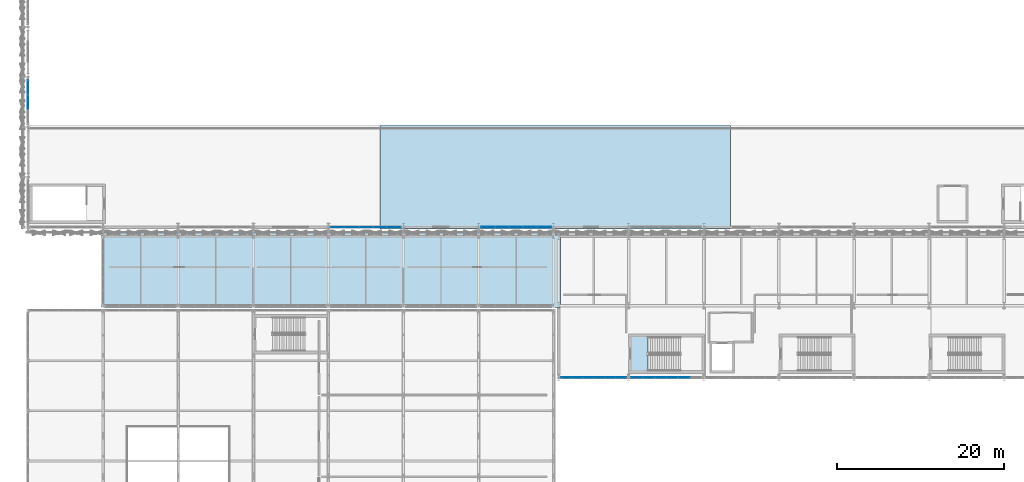
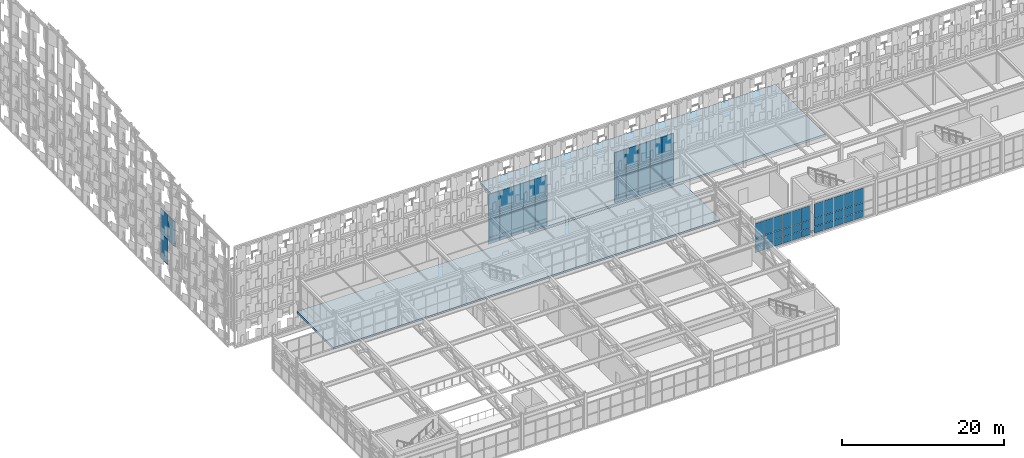
# One storey, part 136 of 210: 67 plates, 3 slabs, 5 elements without a shape of their own.
"""IFC4 building model written with IfcOpenShell, lengths in metres."""

from ifc_helpers import new_model, si_unit, direction, frame, origin, origin_2d, place, context, subcontext, project, spatial, polyline, rectangle, outline, extrude, material, layer, layer_set, type_object, element, aggregate, save


model = new_model("IFC4")

# Units and contexts
model_context = context("Model", 3, precision=1e-05, world=origin(), true_north=direction((0.0, 1.0)))
body_context = subcontext(model_context, "Body", "Model", "MODEL_VIEW")
ifc_project = project(units=[si_unit("LENGTHUNIT", "METRE"), si_unit("AREAUNIT", "SQUARE_METRE"), si_unit("VOLUMEUNIT", "CUBIC_METRE"), si_unit("PLANEANGLEUNIT", "RADIAN"), si_unit("MASSUNIT", "GRAM", prefix="KILO")], contexts=[model_context])

# Site, building, storey
site_placement = place(None, origin())
site = spatial("IfcSite", under=ifc_project, at=site_placement, CompositionType="ELEMENT")
building_placement = place(site_placement, origin())
building = spatial("IfcBuilding", under=site, at=building_placement, Name="Kaldris Quays Convention Centre", CompositionType="ELEMENT")
storey_placement = place(building_placement, frame((0.0, 0.0, 6.0)))
storey = spatial("IfcBuildingStorey", under=building, at=storey_placement, Name="L01", CompositionType="ELEMENT", Elevation=6.0)

# Curtain wall, plates
ifc_material_1 = material(Name="Anodized aluminium AW-6060 and triple glazing", Category="aluminium")
curtain_wall_type_1 = type_object("IfcCurtainWallType", Name="UNITISED CURTAIN WALL CW04", PredefinedType="NOTDEFINED", material=ifc_material_1)
curtain_wall_1_placement = place(storey_placement, origin())
curtain_wall_1 = element("IfcCurtainWall", 1, at=curtain_wall_1_placement, inside=storey, type_object=curtain_wall_type_1, Name="L01 Unitised Curtain Wall CW04 107", PredefinedType="NOTDEFINED")
ifc_material_2 = material(Name="Triple low-E insulated glazing", Category="glass")
plate_type_1 = type_object("IfcPlateType", Name="CURTAIN GLAZING PANEL CWP3", PredefinedType="CURTAIN_PANEL", material=ifc_material_2)
plate_1_placement = place(storey_placement, frame((84.5234375, 38.0, 0.06005859375), z_axis=(0.0, 0.0, 1.0), x_axis=(1.0, 0.0, 0.0)))
plate_1 = element("IfcPlate", 2, at=plate_1_placement, type_object=plate_type_1, Name="CW04 panel 1.1", PredefinedType="CURTAIN_PANEL", context=body_context, shape_type="SweptSolid", body=[
    extrude(rectangle(XDim=1.2265625, YDim=0.0390625, at=origin_2d()), origin(), (0.0, 0.0, 1.0), 0.9599609375),
])
plate_2_placement = place(storey_placement, frame((84.5234375, 38.0, 1.080078125), z_axis=(0.0, 0.0, 1.0), x_axis=(1.0, 0.0, 0.0)))
plate_2 = element("IfcPlate", 3, at=plate_2_placement, type_object=plate_type_1, Name="CW04 panel 1.2", PredefinedType="CURTAIN_PANEL", context=body_context, shape_type="SweptSolid", body=[
    extrude(rectangle(XDim=1.2265625, YDim=0.0390625, at=origin_2d()), origin(), (0.0, 0.0, 1.0), 1.14892578125),
])
plate_3_placement = place(storey_placement, frame((84.5234375, 38.0, 2.2890625), z_axis=(0.0, 0.0, 1.0), x_axis=(1.0, 0.0, 0.0)))
plate_3 = element("IfcPlate", 4, at=plate_3_placement, type_object=plate_type_1, Name="CW04 panel 1.3", PredefinedType="CURTAIN_PANEL", context=body_context, shape_type="SweptSolid", body=[
    extrude(rectangle(XDim=1.2265625, YDim=0.0390625, at=origin_2d()), origin(), (0.0, 0.0, 1.0), 2.1689453125),
])
plate_4_placement = place(storey_placement, frame((85.824951171875, 38.0, 0.06005859375), z_axis=(0.0, 0.0, 1.0), x_axis=(1.0, 0.0, 0.0)))
plate_4 = element("IfcPlate", 5, at=plate_4_placement, type_object=plate_type_1, Name="CW04 panel 2.1", PredefinedType="CURTAIN_PANEL", context=body_context, shape_type="SweptSolid", body=[
    extrude(rectangle(XDim=1.256591796875, YDim=0.0390625, at=origin_2d()), origin(), (0.0, 0.0, 1.0), 0.9599609375),
])
plate_5_placement = place(storey_placement, frame((85.824951171875, 38.0, 1.080078125), z_axis=(0.0, 0.0, 1.0), x_axis=(1.0, 0.0, 0.0)))
plate_5 = element("IfcPlate", 6, at=plate_5_placement, type_object=plate_type_1, Name="CW04 panel 2.2", PredefinedType="CURTAIN_PANEL", context=body_context, shape_type="SweptSolid", body=[
    extrude(rectangle(XDim=1.256591796875, YDim=0.0390625, at=origin_2d()), origin(), (0.0, 0.0, 1.0), 1.14892578125),
])
plate_6_placement = place(storey_placement, frame((85.824951171875, 38.0, 2.2890625), z_axis=(0.0, 0.0, 1.0), x_axis=(1.0, 0.0, 0.0)))
plate_6 = element("IfcPlate", 7, at=plate_6_placement, type_object=plate_type_1, Name="CW04 panel 2.3", PredefinedType="CURTAIN_PANEL", context=body_context, shape_type="SweptSolid", body=[
    extrude(rectangle(XDim=1.256591796875, YDim=0.0390625, at=origin_2d()), origin(), (0.0, 0.0, 1.0), 2.1689453125),
])
plate_7_placement = place(storey_placement, frame((87.1416015625, 38.0, 0.06005859375), z_axis=(0.0, 0.0, 1.0), x_axis=(1.0, 0.0, 0.0)))
plate_7 = element("IfcPlate", 8, at=plate_7_placement, type_object=plate_type_1, Name="CW04 panel 3.1", PredefinedType="CURTAIN_PANEL", context=body_context, shape_type="SweptSolid", body=[
    extrude(rectangle(XDim=1.256591796875, YDim=0.0390625, at=origin_2d()), origin(), (0.0, 0.0, 1.0), 0.9599609375),
])
plate_8_placement = place(storey_placement, frame((87.1416015625, 38.0, 1.080078125), z_axis=(0.0, 0.0, 1.0), x_axis=(1.0, 0.0, 0.0)))
plate_8 = element("IfcPlate", 9, at=plate_8_placement, type_object=plate_type_1, Name="CW04 panel 3.2", PredefinedType="CURTAIN_PANEL", context=body_context, shape_type="SweptSolid", body=[
    extrude(rectangle(XDim=1.256591796875, YDim=0.0390625, at=origin_2d()), origin(), (0.0, 0.0, 1.0), 1.14892578125),
])
plate_9_placement = place(storey_placement, frame((87.1416015625, 38.0, 2.2890625), z_axis=(0.0, 0.0, 1.0), x_axis=(1.0, 0.0, 0.0)))
plate_9 = element("IfcPlate", 10, at=plate_9_placement, type_object=plate_type_1, Name="CW04 panel 3.3", PredefinedType="CURTAIN_PANEL", context=body_context, shape_type="SweptSolid", body=[
    extrude(rectangle(XDim=1.256591796875, YDim=0.0390625, at=origin_2d()), origin(), (0.0, 0.0, 1.0), 2.1689453125),
])
plate_10_placement = place(storey_placement, frame((88.458251953125, 38.0, 0.06005859375), z_axis=(0.0, 0.0, 1.0), x_axis=(1.0, 0.0, 0.0)))
plate_10 = element("IfcPlate", 11, at=plate_10_placement, type_object=plate_type_1, Name="CW04 panel 4.1", PredefinedType="CURTAIN_PANEL", context=body_context, shape_type="SweptSolid", body=[
    extrude(rectangle(XDim=1.256591796875, YDim=0.0390625, at=origin_2d()), origin(), (0.0, 0.0, 1.0), 0.9599609375),
])
plate_11_placement = place(storey_placement, frame((88.458251953125, 38.0, 1.080078125), z_axis=(0.0, 0.0, 1.0), x_axis=(1.0, 0.0, 0.0)))
plate_11 = element("IfcPlate", 12, at=plate_11_placement, type_object=plate_type_1, Name="CW04 panel 4.2", PredefinedType="CURTAIN_PANEL", context=body_context, shape_type="SweptSolid", body=[
    extrude(rectangle(XDim=1.256591796875, YDim=0.0390625, at=origin_2d()), origin(), (0.0, 0.0, 1.0), 1.14892578125),
])
plate_12_placement = place(storey_placement, frame((88.458251953125, 38.0, 2.2890625), z_axis=(0.0, 0.0, 1.0), x_axis=(1.0, 0.0, 0.0)))
plate_12 = element("IfcPlate", 13, at=plate_12_placement, type_object=plate_type_1, Name="CW04 panel 4.3", PredefinedType="CURTAIN_PANEL", context=body_context, shape_type="SweptSolid", body=[
    extrude(rectangle(XDim=1.256591796875, YDim=0.0390625, at=origin_2d()), origin(), (0.0, 0.0, 1.0), 2.1689453125),
])
plate_13_placement = place(storey_placement, frame((89.77490234375, 38.0, 0.06005859375), z_axis=(0.0, 0.0, 1.0), x_axis=(1.0, 0.0, 0.0)))
plate_13 = element("IfcPlate", 14, at=plate_13_placement, type_object=plate_type_1, Name="CW04 panel 5.1", PredefinedType="CURTAIN_PANEL", context=body_context, shape_type="SweptSolid", body=[
    extrude(rectangle(XDim=1.256591796875, YDim=0.0390625, at=origin_2d()), origin(), (0.0, 0.0, 1.0), 0.9599609375),
])
plate_14_placement = place(storey_placement, frame((89.77490234375, 38.0, 1.080078125), z_axis=(0.0, 0.0, 1.0), x_axis=(1.0, 0.0, 0.0)))
plate_14 = element("IfcPlate", 15, at=plate_14_placement, type_object=plate_type_1, Name="CW04 panel 5.2", PredefinedType="CURTAIN_PANEL", context=body_context, shape_type="SweptSolid", body=[
    extrude(rectangle(XDim=1.256591796875, YDim=0.0390625, at=origin_2d()), origin(), (0.0, 0.0, 1.0), 1.14892578125),
])
plate_15_placement = place(storey_placement, frame((89.77490234375, 38.0, 2.2890625), z_axis=(0.0, 0.0, 1.0), x_axis=(1.0, 0.0, 0.0)))
plate_15 = element("IfcPlate", 16, at=plate_15_placement, type_object=plate_type_1, Name="CW04 panel 5.3", PredefinedType="CURTAIN_PANEL", context=body_context, shape_type="SweptSolid", body=[
    extrude(rectangle(XDim=1.256591796875, YDim=0.0390625, at=origin_2d()), origin(), (0.0, 0.0, 1.0), 2.1689453125),
])
plate_16_placement = place(storey_placement, frame((91.07666015625, 38.0, 0.06005859375), z_axis=(0.0, 0.0, 1.0), x_axis=(1.0, 0.0, 0.0)))
plate_16 = element("IfcPlate", 17, at=plate_16_placement, type_object=plate_type_1, Name="CW04 panel 6.1", PredefinedType="CURTAIN_PANEL", context=body_context, shape_type="SweptSolid", body=[
    extrude(rectangle(XDim=1.2265625, YDim=0.0390625, at=origin_2d()), origin(), (0.0, 0.0, 1.0), 0.9599609375),
])
plate_17_placement = place(storey_placement, frame((91.07666015625, 38.0, 1.080078125), z_axis=(0.0, 0.0, 1.0), x_axis=(1.0, 0.0, 0.0)))
plate_17 = element("IfcPlate", 18, at=plate_17_placement, type_object=plate_type_1, Name="CW04 panel 6.2", PredefinedType="CURTAIN_PANEL", context=body_context, shape_type="SweptSolid", body=[
    extrude(rectangle(XDim=1.2265625, YDim=0.0390625, at=origin_2d()), origin(), (0.0, 0.0, 1.0), 1.14892578125),
])
plate_18_placement = place(storey_placement, frame((91.07666015625, 38.0, 2.2890625), z_axis=(0.0, 0.0, 1.0), x_axis=(1.0, 0.0, 0.0)))
plate_18 = element("IfcPlate", 19, at=plate_18_placement, type_object=plate_type_1, Name="CW04 panel 6.3", PredefinedType="CURTAIN_PANEL", context=body_context, shape_type="SweptSolid", body=[
    extrude(rectangle(XDim=1.2265625, YDim=0.0390625, at=origin_2d()), origin(), (0.0, 0.0, 1.0), 2.1689453125),
])
aggregate(curtain_wall_1, [plate_1, plate_2, plate_3, plate_4, plate_5, plate_6, plate_7, plate_8, plate_9, plate_10, plate_11, plate_12, plate_13, plate_14, plate_15, plate_16, plate_17, plate_18])

curtain_wall_2_placement = place(storey_placement, origin())
curtain_wall_2 = element("IfcCurtainWall", 20, at=curtain_wall_2_placement, inside=storey, type_object=curtain_wall_type_1, Name="L01 Unitised Curtain Wall CW04 108", PredefinedType="NOTDEFINED")
plate_type_2 = type_object("IfcPlateType", Name="CURTAIN GLAZING PANEL CWP4", PredefinedType="CURTAIN_PANEL", material=ifc_material_2)
plate_19_placement = place(storey_placement, frame((92.973388671875, 38.0, 0.06005859375), z_axis=(0.0, 0.0, 1.0), x_axis=(1.0, 0.0, 0.0)))
plate_19 = element("IfcPlate", 21, at=plate_19_placement, type_object=plate_type_2, Name="CW04 panel 1.1", PredefinedType="CURTAIN_PANEL", context=body_context, shape_type="SweptSolid", body=[
    extrude(rectangle(XDim=1.32666015625, YDim=0.0439453125, at=origin_2d()), origin(), (0.0, 0.0, 1.0), 0.9599609375),
])
plate_20_placement = place(storey_placement, frame((92.973388671875, 38.0, 1.080078125), z_axis=(0.0, 0.0, 1.0), x_axis=(1.0, 0.0, 0.0)))
plate_20 = element("IfcPlate", 22, at=plate_20_placement, type_object=plate_type_2, Name="CW04 panel 1.2", PredefinedType="CURTAIN_PANEL", context=body_context, shape_type="SweptSolid", body=[
    extrude(rectangle(XDim=1.32666015625, YDim=0.0439453125, at=origin_2d()), origin(), (0.0, 0.0, 1.0), 1.14892578125),
])
plate_21_placement = place(storey_placement, frame((92.973388671875, 38.0, 2.2890625), z_axis=(0.0, 0.0, 1.0), x_axis=(1.0, 0.0, 0.0)))
plate_21 = element("IfcPlate", 23, at=plate_21_placement, type_object=plate_type_2, Name="CW04 panel 1.3", PredefinedType="CURTAIN_PANEL", context=body_context, shape_type="SweptSolid", body=[
    extrude(rectangle(XDim=1.32666015625, YDim=0.0439453125, at=origin_2d()), origin(), (0.0, 0.0, 1.0), 2.1689453125),
])
plate_22_placement = place(storey_placement, frame((94.375, 38.0, 0.06005859375), z_axis=(0.0, 0.0, 1.0), x_axis=(1.0, 0.0, 0.0)))
plate_22 = element("IfcPlate", 24, at=plate_22_placement, type_object=plate_type_2, Name="CW04 panel 2.1", PredefinedType="CURTAIN_PANEL", context=body_context, shape_type="SweptSolid", body=[
    extrude(rectangle(XDim=1.356689453125, YDim=0.0439453125, at=origin_2d()), origin(), (0.0, 0.0, 1.0), 0.9599609375),
])
plate_23_placement = place(storey_placement, frame((94.375, 38.0, 1.080078125), z_axis=(0.0, 0.0, 1.0), x_axis=(1.0, 0.0, 0.0)))
plate_23 = element("IfcPlate", 25, at=plate_23_placement, type_object=plate_type_2, Name="CW04 panel 2.2", PredefinedType="CURTAIN_PANEL", context=body_context, shape_type="SweptSolid", body=[
    extrude(rectangle(XDim=1.356689453125, YDim=0.0439453125, at=origin_2d()), origin(), (0.0, 0.0, 1.0), 1.14892578125),
])
plate_24_placement = place(storey_placement, frame((94.375, 38.0, 2.2890625), z_axis=(0.0, 0.0, 1.0), x_axis=(1.0, 0.0, 0.0)))
plate_24 = element("IfcPlate", 26, at=plate_24_placement, type_object=plate_type_2, Name="CW04 panel 2.3", PredefinedType="CURTAIN_PANEL", context=body_context, shape_type="SweptSolid", body=[
    extrude(rectangle(XDim=1.356689453125, YDim=0.0439453125, at=origin_2d()), origin(), (0.0, 0.0, 1.0), 2.1689453125),
])
plate_25_placement = place(storey_placement, frame((95.791748046875, 38.0, 0.06005859375), z_axis=(0.0, 0.0, 1.0), x_axis=(1.0, 0.0, 0.0)))
plate_25 = element("IfcPlate", 27, at=plate_25_placement, type_object=plate_type_2, Name="CW04 panel 3.1", PredefinedType="CURTAIN_PANEL", context=body_context, shape_type="SweptSolid", body=[
    extrude(rectangle(XDim=1.356689453125, YDim=0.0439453125, at=origin_2d()), origin(), (0.0, 0.0, 1.0), 0.9599609375),
])
plate_26_placement = place(storey_placement, frame((95.791748046875, 38.0, 1.080078125), z_axis=(0.0, 0.0, 1.0), x_axis=(1.0, 0.0, 0.0)))
plate_26 = element("IfcPlate", 28, at=plate_26_placement, type_object=plate_type_2, Name="CW04 panel 3.2", PredefinedType="CURTAIN_PANEL", context=body_context, shape_type="SweptSolid", body=[
    extrude(rectangle(XDim=1.356689453125, YDim=0.0439453125, at=origin_2d()), origin(), (0.0, 0.0, 1.0), 1.14892578125),
])
plate_27_placement = place(storey_placement, frame((95.791748046875, 38.0, 2.2890625), z_axis=(0.0, 0.0, 1.0), x_axis=(1.0, 0.0, 0.0)))
plate_27 = element("IfcPlate", 29, at=plate_27_placement, type_object=plate_type_2, Name="CW04 panel 3.3", PredefinedType="CURTAIN_PANEL", context=body_context, shape_type="SweptSolid", body=[
    extrude(rectangle(XDim=1.356689453125, YDim=0.0439453125, at=origin_2d()), origin(), (0.0, 0.0, 1.0), 2.1689453125),
])
plate_28_placement = place(storey_placement, frame((97.208251953125, 38.0, 0.06005859375), z_axis=(0.0, 0.0, 1.0), x_axis=(1.0, 0.0, 0.0)))
plate_28 = element("IfcPlate", 30, at=plate_28_placement, type_object=plate_type_2, Name="CW04 panel 4.1", PredefinedType="CURTAIN_PANEL", context=body_context, shape_type="SweptSolid", body=[
    extrude(rectangle(XDim=1.356689453125, YDim=0.0439453125, at=origin_2d()), origin(), (0.0, 0.0, 1.0), 0.9599609375),
])
plate_29_placement = place(storey_placement, frame((97.208251953125, 38.0, 1.080078125), z_axis=(0.0, 0.0, 1.0), x_axis=(1.0, 0.0, 0.0)))
plate_29 = element("IfcPlate", 31, at=plate_29_placement, type_object=plate_type_2, Name="CW04 panel 4.2", PredefinedType="CURTAIN_PANEL", context=body_context, shape_type="SweptSolid", body=[
    extrude(rectangle(XDim=1.356689453125, YDim=0.0439453125, at=origin_2d()), origin(), (0.0, 0.0, 1.0), 1.14892578125),
])
plate_30_placement = place(storey_placement, frame((97.208251953125, 38.0, 2.2890625), z_axis=(0.0, 0.0, 1.0), x_axis=(1.0, 0.0, 0.0)))
plate_30 = element("IfcPlate", 32, at=plate_30_placement, type_object=plate_type_2, Name="CW04 panel 4.3", PredefinedType="CURTAIN_PANEL", context=body_context, shape_type="SweptSolid", body=[
    extrude(rectangle(XDim=1.356689453125, YDim=0.0439453125, at=origin_2d()), origin(), (0.0, 0.0, 1.0), 2.1689453125),
])
plate_31_placement = place(storey_placement, frame((98.625, 38.0, 0.06005859375), z_axis=(0.0, 0.0, 1.0), x_axis=(1.0, 0.0, 0.0)))
plate_31 = element("IfcPlate", 33, at=plate_31_placement, type_object=plate_type_2, Name="CW04 panel 5.1", PredefinedType="CURTAIN_PANEL", context=body_context, shape_type="SweptSolid", body=[
    extrude(rectangle(XDim=1.356689453125, YDim=0.0439453125, at=origin_2d()), origin(), (0.0, 0.0, 1.0), 0.9599609375),
])
plate_32_placement = place(storey_placement, frame((98.625, 38.0, 1.080078125), z_axis=(0.0, 0.0, 1.0), x_axis=(1.0, 0.0, 0.0)))
plate_32 = element("IfcPlate", 34, at=plate_32_placement, type_object=plate_type_2, Name="CW04 panel 5.2", PredefinedType="CURTAIN_PANEL", context=body_context, shape_type="SweptSolid", body=[
    extrude(rectangle(XDim=1.356689453125, YDim=0.0439453125, at=origin_2d()), origin(), (0.0, 0.0, 1.0), 1.14892578125),
])
plate_33_placement = place(storey_placement, frame((98.625, 38.0, 2.2890625), z_axis=(0.0, 0.0, 1.0), x_axis=(1.0, 0.0, 0.0)))
plate_33 = element("IfcPlate", 35, at=plate_33_placement, type_object=plate_type_2, Name="CW04 panel 5.3", PredefinedType="CURTAIN_PANEL", context=body_context, shape_type="SweptSolid", body=[
    extrude(rectangle(XDim=1.356689453125, YDim=0.0439453125, at=origin_2d()), origin(), (0.0, 0.0, 1.0), 2.1689453125),
])
aggregate(curtain_wall_2, [plate_19, plate_20, plate_21, plate_22, plate_23, plate_24, plate_25, plate_26, plate_27, plate_28, plate_29, plate_30, plate_31, plate_32, plate_33])

curtain_wall_type_2 = type_object("IfcCurtainWallType", Name="UNITISED CURTAIN WALL CW03", PredefinedType="NOTDEFINED", material=ifc_material_1)
curtain_wall_3_placement = place(storey_placement, origin())
curtain_wall_3 = element("IfcCurtainWall", 36, at=curtain_wall_3_placement, inside=storey, type_object=curtain_wall_type_2, Name="L01 Unitised Curtain Wall CW03 5", PredefinedType="NOTDEFINED")
plate_type_3 = type_object("IfcPlateType", Name="CURTAIN GLAZING PANEL CWP5", PredefinedType="CURTAIN_PANEL", material=ifc_material_2)
plate_34_placement = place(storey_placement, frame((57.114990234375, 56.0, 0.06005859375), z_axis=(0.0, 0.0, 1.0), x_axis=(1.0, 0.0, 0.0)))
plate_34 = element("IfcPlate", 37, at=plate_34_placement, type_object=plate_type_3, Name="CW03 panel 1.1", PredefinedType="CURTAIN_PANEL", context=body_context, shape_type="SweptSolid", body=[
    extrude(rectangle(XDim=1.610107421875, YDim=0.049072265625, at=origin_2d()), origin(), (0.0, 0.0, 1.0), 0.9599609375),
])
plate_35_placement = place(storey_placement, frame((57.114990234375, 56.0, 1.080078125), z_axis=(0.0, 0.0, 1.0), x_axis=(1.0, 0.0, 0.0)))
plate_35 = element("IfcPlate", 38, at=plate_35_placement, type_object=plate_type_3, Name="CW03 panel 1.2", PredefinedType="CURTAIN_PANEL", context=body_context, shape_type="SweptSolid", body=[
    extrude(rectangle(XDim=1.610107421875, YDim=0.049072265625, at=origin_2d()), origin(), (0.0, 0.0, 1.0), 2.68994140625),
])
plate_36_placement = place(storey_placement, frame((57.114990234375, 56.0, 3.830078125), z_axis=(0.0, 0.0, 1.0), x_axis=(1.0, 0.0, 0.0)))
plate_36 = element("IfcPlate", 39, at=plate_36_placement, type_object=plate_type_3, Name="CW03 panel 1.3", PredefinedType="CURTAIN_PANEL", context=body_context, shape_type="SweptSolid", body=[
    extrude(rectangle(XDim=1.610107421875, YDim=0.049072265625, at=origin_2d()), origin(), (0.0, 0.0, 1.0), 3.7099609375),
])
plate_37_placement = place(storey_placement, frame((58.800048828125, 56.0, 0.06005859375), z_axis=(0.0, 0.0, 1.0), x_axis=(1.0, 0.0, 0.0)))
plate_37 = element("IfcPlate", 40, at=plate_37_placement, type_object=plate_type_3, Name="CW03 panel 2.1", PredefinedType="CURTAIN_PANEL", context=body_context, shape_type="SweptSolid", body=[
    extrude(rectangle(XDim=1.639892578125, YDim=0.049072265625, at=origin_2d()), origin(), (0.0, 0.0, 1.0), 0.9599609375),
])
plate_38_placement = place(storey_placement, frame((58.800048828125, 56.0, 1.080078125), z_axis=(0.0, 0.0, 1.0), x_axis=(1.0, 0.0, 0.0)))
plate_38 = element("IfcPlate", 41, at=plate_38_placement, type_object=plate_type_3, Name="CW03 panel 2.2", PredefinedType="CURTAIN_PANEL", context=body_context, shape_type="SweptSolid", body=[
    extrude(rectangle(XDim=1.639892578125, YDim=0.049072265625, at=origin_2d()), origin(), (0.0, 0.0, 1.0), 2.68994140625),
])
plate_39_placement = place(storey_placement, frame((58.800048828125, 56.0, 3.830078125), z_axis=(0.0, 0.0, 1.0), x_axis=(1.0, 0.0, 0.0)))
plate_39 = element("IfcPlate", 42, at=plate_39_placement, type_object=plate_type_3, Name="CW03 panel 2.3", PredefinedType="CURTAIN_PANEL", context=body_context, shape_type="SweptSolid", body=[
    extrude(rectangle(XDim=1.639892578125, YDim=0.049072265625, at=origin_2d()), origin(), (0.0, 0.0, 1.0), 3.7099609375),
])
plate_40_placement = place(storey_placement, frame((60.5, 56.0, 0.06005859375), z_axis=(0.0, 0.0, 1.0), x_axis=(1.0, 0.0, 0.0)))
plate_40 = element("IfcPlate", 43, at=plate_40_placement, type_object=plate_type_3, Name="CW03 panel 3.1", PredefinedType="CURTAIN_PANEL", context=body_context, shape_type="SweptSolid", body=[
    extrude(rectangle(XDim=1.639892578125, YDim=0.049072265625, at=origin_2d()), origin(), (0.0, 0.0, 1.0), 0.9599609375),
])
plate_41_placement = place(storey_placement, frame((60.5, 56.0, 1.080078125), z_axis=(0.0, 0.0, 1.0), x_axis=(1.0, 0.0, 0.0)))
plate_41 = element("IfcPlate", 44, at=plate_41_placement, type_object=plate_type_3, Name="CW03 panel 3.2", PredefinedType="CURTAIN_PANEL", context=body_context, shape_type="SweptSolid", body=[
    extrude(rectangle(XDim=1.639892578125, YDim=0.049072265625, at=origin_2d()), origin(), (0.0, 0.0, 1.0), 2.68994140625),
])
plate_42_placement = place(storey_placement, frame((60.5, 56.0, 3.830078125), z_axis=(0.0, 0.0, 1.0), x_axis=(1.0, 0.0, 0.0)))
plate_42 = element("IfcPlate", 45, at=plate_42_placement, type_object=plate_type_3, Name="CW03 panel 3.3", PredefinedType="CURTAIN_PANEL", context=body_context, shape_type="SweptSolid", body=[
    extrude(rectangle(XDim=1.639892578125, YDim=0.049072265625, at=origin_2d()), origin(), (0.0, 0.0, 1.0), 3.7099609375),
])
plate_43_placement = place(storey_placement, frame((62.199951171875, 56.0, 0.06005859375), z_axis=(0.0, 0.0, 1.0), x_axis=(1.0, 0.0, 0.0)))
plate_43 = element("IfcPlate", 46, at=plate_43_placement, type_object=plate_type_3, Name="CW03 panel 4.1", PredefinedType="CURTAIN_PANEL", context=body_context, shape_type="SweptSolid", body=[
    extrude(rectangle(XDim=1.639892578125, YDim=0.049072265625, at=origin_2d()), origin(), (0.0, 0.0, 1.0), 0.9599609375),
])
plate_44_placement = place(storey_placement, frame((62.199951171875, 56.0, 1.080078125), z_axis=(0.0, 0.0, 1.0), x_axis=(1.0, 0.0, 0.0)))
plate_44 = element("IfcPlate", 47, at=plate_44_placement, type_object=plate_type_3, Name="CW03 panel 4.2", PredefinedType="CURTAIN_PANEL", context=body_context, shape_type="SweptSolid", body=[
    extrude(rectangle(XDim=1.639892578125, YDim=0.049072265625, at=origin_2d()), origin(), (0.0, 0.0, 1.0), 2.68994140625),
])
plate_45_placement = place(storey_placement, frame((62.199951171875, 56.0, 3.830078125), z_axis=(0.0, 0.0, 1.0), x_axis=(1.0, 0.0, 0.0)))
plate_45 = element("IfcPlate", 48, at=plate_45_placement, type_object=plate_type_3, Name="CW03 panel 4.3", PredefinedType="CURTAIN_PANEL", context=body_context, shape_type="SweptSolid", body=[
    extrude(rectangle(XDim=1.639892578125, YDim=0.049072265625, at=origin_2d()), origin(), (0.0, 0.0, 1.0), 3.7099609375),
])
plate_46_placement = place(storey_placement, frame((63.885009765625, 56.0, 0.06005859375), z_axis=(0.0, 0.0, 1.0), x_axis=(1.0, 0.0, 0.0)))
plate_46 = element("IfcPlate", 49, at=plate_46_placement, type_object=plate_type_3, Name="CW03 panel 5.1", PredefinedType="CURTAIN_PANEL", context=body_context, shape_type="SweptSolid", body=[
    extrude(rectangle(XDim=1.610107421875, YDim=0.049072265625, at=origin_2d()), origin(), (0.0, 0.0, 1.0), 0.9599609375),
])
plate_47_placement = place(storey_placement, frame((63.885009765625, 56.0, 1.080078125), z_axis=(0.0, 0.0, 1.0), x_axis=(1.0, 0.0, 0.0)))
plate_47 = element("IfcPlate", 50, at=plate_47_placement, type_object=plate_type_3, Name="CW03 panel 5.2", PredefinedType="CURTAIN_PANEL", context=body_context, shape_type="SweptSolid", body=[
    extrude(rectangle(XDim=1.610107421875, YDim=0.049072265625, at=origin_2d()), origin(), (0.0, 0.0, 1.0), 2.68994140625),
])
plate_48_placement = place(storey_placement, frame((63.885009765625, 56.0, 3.830078125), z_axis=(0.0, 0.0, 1.0), x_axis=(1.0, 0.0, 0.0)))
plate_48 = element("IfcPlate", 51, at=plate_48_placement, type_object=plate_type_3, Name="CW03 panel 5.3", PredefinedType="CURTAIN_PANEL", context=body_context, shape_type="SweptSolid", body=[
    extrude(rectangle(XDim=1.610107421875, YDim=0.049072265625, at=origin_2d()), origin(), (0.0, 0.0, 1.0), 3.7099609375),
])
aggregate(curtain_wall_3, [plate_34, plate_35, plate_36, plate_37, plate_38, plate_39, plate_40, plate_41, plate_42, plate_43, plate_44, plate_45, plate_46, plate_47, plate_48])

curtain_wall_4_placement = place(storey_placement, origin())
curtain_wall_4 = element("IfcCurtainWall", 52, at=curtain_wall_4_placement, inside=storey, type_object=curtain_wall_type_2, Name="L01 Unitised Curtain Wall CW03 7", PredefinedType="NOTDEFINED")
plate_type_4 = type_object("IfcPlateType", Name="CURTAIN GLAZING PANEL CWP7", PredefinedType="CURTAIN_PANEL", material=ifc_material_2)
plate_49_placement = place(storey_placement, frame((75.114990234375, 56.0, 0.06005859375), z_axis=(0.0, 0.0, 1.0), x_axis=(1.0, 0.0, 0.0)))
plate_49 = element("IfcPlate", 53, at=plate_49_placement, type_object=plate_type_4, Name="CW03 panel 1.1", PredefinedType="CURTAIN_PANEL", context=body_context, shape_type="SweptSolid", body=[
    extrude(rectangle(XDim=1.610107421875, YDim=0.05908203125, at=origin_2d()), origin(), (0.0, 0.0, 1.0), 0.9599609375),
])
plate_50_placement = place(storey_placement, frame((75.114990234375, 56.0, 1.080078125), z_axis=(0.0, 0.0, 1.0), x_axis=(1.0, 0.0, 0.0)))
plate_50 = element("IfcPlate", 54, at=plate_50_placement, type_object=plate_type_4, Name="CW03 panel 1.2", PredefinedType="CURTAIN_PANEL", context=body_context, shape_type="SweptSolid", body=[
    extrude(rectangle(XDim=1.610107421875, YDim=0.05908203125, at=origin_2d()), origin(), (0.0, 0.0, 1.0), 2.68994140625),
])
plate_51_placement = place(storey_placement, frame((75.114990234375, 56.0, 3.830078125), z_axis=(0.0, 0.0, 1.0), x_axis=(1.0, 0.0, 0.0)))
plate_51 = element("IfcPlate", 55, at=plate_51_placement, type_object=plate_type_4, Name="CW03 panel 1.3", PredefinedType="CURTAIN_PANEL", context=body_context, shape_type="SweptSolid", body=[
    extrude(rectangle(XDim=1.610107421875, YDim=0.05908203125, at=origin_2d()), origin(), (0.0, 0.0, 1.0), 3.7099609375),
])
plate_52_placement = place(storey_placement, frame((76.800048828125, 56.0, 0.06005859375), z_axis=(0.0, 0.0, 1.0), x_axis=(1.0, 0.0, 0.0)))
plate_52 = element("IfcPlate", 56, at=plate_52_placement, type_object=plate_type_4, Name="CW03 panel 2.1", PredefinedType="CURTAIN_PANEL", context=body_context, shape_type="SweptSolid", body=[
    extrude(rectangle(XDim=1.639892578125, YDim=0.05908203125, at=origin_2d()), origin(), (0.0, 0.0, 1.0), 0.9599609375),
])
plate_53_placement = place(storey_placement, frame((76.800048828125, 56.0, 1.080078125), z_axis=(0.0, 0.0, 1.0), x_axis=(1.0, 0.0, 0.0)))
plate_53 = element("IfcPlate", 57, at=plate_53_placement, type_object=plate_type_4, Name="CW03 panel 2.2", PredefinedType="CURTAIN_PANEL", context=body_context, shape_type="SweptSolid", body=[
    extrude(rectangle(XDim=1.639892578125, YDim=0.05908203125, at=origin_2d()), origin(), (0.0, 0.0, 1.0), 2.68994140625),
])
plate_54_placement = place(storey_placement, frame((76.800048828125, 56.0, 3.830078125), z_axis=(0.0, 0.0, 1.0), x_axis=(1.0, 0.0, 0.0)))
plate_54 = element("IfcPlate", 58, at=plate_54_placement, type_object=plate_type_4, Name="CW03 panel 2.3", PredefinedType="CURTAIN_PANEL", context=body_context, shape_type="SweptSolid", body=[
    extrude(rectangle(XDim=1.639892578125, YDim=0.05908203125, at=origin_2d()), origin(), (0.0, 0.0, 1.0), 3.7099609375),
])
plate_55_placement = place(storey_placement, frame((78.5, 56.0, 0.06005859375), z_axis=(0.0, 0.0, 1.0), x_axis=(1.0, 0.0, 0.0)))
plate_55 = element("IfcPlate", 59, at=plate_55_placement, type_object=plate_type_4, Name="CW03 panel 3.1", PredefinedType="CURTAIN_PANEL", context=body_context, shape_type="SweptSolid", body=[
    extrude(rectangle(XDim=1.639892578125, YDim=0.05908203125, at=origin_2d()), origin(), (0.0, 0.0, 1.0), 0.9599609375),
])
plate_56_placement = place(storey_placement, frame((78.5, 56.0, 1.080078125), z_axis=(0.0, 0.0, 1.0), x_axis=(1.0, 0.0, 0.0)))
plate_56 = element("IfcPlate", 60, at=plate_56_placement, type_object=plate_type_4, Name="CW03 panel 3.2", PredefinedType="CURTAIN_PANEL", context=body_context, shape_type="SweptSolid", body=[
    extrude(rectangle(XDim=1.639892578125, YDim=0.05908203125, at=origin_2d()), origin(), (0.0, 0.0, 1.0), 2.68994140625),
])
plate_57_placement = place(storey_placement, frame((78.5, 56.0, 3.830078125), z_axis=(0.0, 0.0, 1.0), x_axis=(1.0, 0.0, 0.0)))
plate_57 = element("IfcPlate", 61, at=plate_57_placement, type_object=plate_type_4, Name="CW03 panel 3.3", PredefinedType="CURTAIN_PANEL", context=body_context, shape_type="SweptSolid", body=[
    extrude(rectangle(XDim=1.639892578125, YDim=0.05908203125, at=origin_2d()), origin(), (0.0, 0.0, 1.0), 3.7099609375),
])
plate_58_placement = place(storey_placement, frame((80.199951171875, 56.0, 0.06005859375), z_axis=(0.0, 0.0, 1.0), x_axis=(1.0, 0.0, 0.0)))
plate_58 = element("IfcPlate", 62, at=plate_58_placement, type_object=plate_type_4, Name="CW03 panel 4.1", PredefinedType="CURTAIN_PANEL", context=body_context, shape_type="SweptSolid", body=[
    extrude(rectangle(XDim=1.639892578125, YDim=0.05908203125, at=origin_2d()), origin(), (0.0, 0.0, 1.0), 0.9599609375),
])
plate_59_placement = place(storey_placement, frame((80.199951171875, 56.0, 1.080078125), z_axis=(0.0, 0.0, 1.0), x_axis=(1.0, 0.0, 0.0)))
plate_59 = element("IfcPlate", 63, at=plate_59_placement, type_object=plate_type_4, Name="CW03 panel 4.2", PredefinedType="CURTAIN_PANEL", context=body_context, shape_type="SweptSolid", body=[
    extrude(rectangle(XDim=1.639892578125, YDim=0.05908203125, at=origin_2d()), origin(), (0.0, 0.0, 1.0), 2.68994140625),
])
plate_60_placement = place(storey_placement, frame((80.199951171875, 56.0, 3.830078125), z_axis=(0.0, 0.0, 1.0), x_axis=(1.0, 0.0, 0.0)))
plate_60 = element("IfcPlate", 64, at=plate_60_placement, type_object=plate_type_4, Name="CW03 panel 4.3", PredefinedType="CURTAIN_PANEL", context=body_context, shape_type="SweptSolid", body=[
    extrude(rectangle(XDim=1.639892578125, YDim=0.05908203125, at=origin_2d()), origin(), (0.0, 0.0, 1.0), 3.7099609375),
])
plate_61_placement = place(storey_placement, frame((81.885009765625, 56.0, 0.06005859375), z_axis=(0.0, 0.0, 1.0), x_axis=(1.0, 0.0, 0.0)))
plate_61 = element("IfcPlate", 65, at=plate_61_placement, type_object=plate_type_4, Name="CW03 panel 5.1", PredefinedType="CURTAIN_PANEL", context=body_context, shape_type="SweptSolid", body=[
    extrude(rectangle(XDim=1.610107421875, YDim=0.05908203125, at=origin_2d()), origin(), (0.0, 0.0, 1.0), 0.9599609375),
])
plate_62_placement = place(storey_placement, frame((81.885009765625, 56.0, 1.080078125), z_axis=(0.0, 0.0, 1.0), x_axis=(1.0, 0.0, 0.0)))
plate_62 = element("IfcPlate", 66, at=plate_62_placement, type_object=plate_type_4, Name="CW03 panel 5.2", PredefinedType="CURTAIN_PANEL", context=body_context, shape_type="SweptSolid", body=[
    extrude(rectangle(XDim=1.610107421875, YDim=0.05908203125, at=origin_2d()), origin(), (0.0, 0.0, 1.0), 2.68994140625),
])
plate_63_placement = place(storey_placement, frame((81.885009765625, 56.0, 3.830078125), z_axis=(0.0, 0.0, 1.0), x_axis=(1.0, 0.0, 0.0)))
plate_63 = element("IfcPlate", 67, at=plate_63_placement, type_object=plate_type_4, Name="CW03 panel 5.3", PredefinedType="CURTAIN_PANEL", context=body_context, shape_type="SweptSolid", body=[
    extrude(rectangle(XDim=1.610107421875, YDim=0.05908203125, at=origin_2d()), origin(), (0.0, 0.0, 1.0), 3.7099609375),
])
aggregate(curtain_wall_4, [plate_49, plate_50, plate_51, plate_52, plate_53, plate_54, plate_55, plate_56, plate_57, plate_58, plate_59, plate_60, plate_61, plate_62, plate_63])

curtain_wall_5_placement = place(storey_placement, origin())
curtain_wall_5 = element("IfcCurtainWall", 68, at=curtain_wall_5_placement, inside=storey, type_object=curtain_wall_type_2, Name="L01 Unitised Curtain Wall CW03 16", PredefinedType="NOTDEFINED")
plate_type_5 = type_object("IfcPlateType", Name="CURTAIN GLAZING PANEL CWP8", PredefinedType="CURTAIN_PANEL", material=ifc_material_2)
plate_64_placement = place(storey_placement, frame((20.0, 71.0, 3.830078125), z_axis=(0.0, 0.0, 1.0), x_axis=(0.0, 1.0, 0.0)))
plate_64 = element("IfcPlate", 69, at=plate_64_placement, type_object=plate_type_5, Name="CW03 panel 2.3", PredefinedType="CURTAIN_PANEL", context=body_context, shape_type="SweptSolid", body=[
    extrude(rectangle(XDim=1.7734375, YDim=0.06396484375, at=origin_2d()), origin(), (0.0, 0.0, 1.0), 3.7099609375),
])
plate_65_placement = place(storey_placement, frame((20.0, 72.818359375, 0.06005859375), z_axis=(0.0, 0.0, 1.0), x_axis=(0.0, 1.0, 0.0)))
plate_65 = element("IfcPlate", 70, at=plate_65_placement, type_object=plate_type_5, Name="CW03 panel 3.1", PredefinedType="CURTAIN_PANEL", context=body_context, shape_type="SweptSolid", body=[
    extrude(rectangle(XDim=1.743408203125, YDim=0.06396484375, at=origin_2d()), origin(), (0.0, 0.0, 1.0), 0.9599609375),
])
plate_66_placement = place(storey_placement, frame((20.0, 72.818359375, 1.080078125), z_axis=(0.0, 0.0, 1.0), x_axis=(0.0, 1.0, 0.0)))
plate_66 = element("IfcPlate", 71, at=plate_66_placement, type_object=plate_type_5, Name="CW03 panel 3.2", PredefinedType="CURTAIN_PANEL", context=body_context, shape_type="SweptSolid", body=[
    extrude(rectangle(XDim=1.743408203125, YDim=0.06396484375, at=origin_2d()), origin(), (0.0, 0.0, 1.0), 2.68994140625),
])
plate_67_placement = place(storey_placement, frame((20.0, 72.818359375, 3.830078125), z_axis=(0.0, 0.0, 1.0), x_axis=(0.0, 1.0, 0.0)))
plate_67 = element("IfcPlate", 72, at=plate_67_placement, type_object=plate_type_5, Name="CW03 panel 3.3", PredefinedType="CURTAIN_PANEL", context=body_context, shape_type="SweptSolid", body=[
    extrude(rectangle(XDim=1.743408203125, YDim=0.06396484375, at=origin_2d()), origin(), (0.0, 0.0, 1.0), 3.7099609375),
])
aggregate(curtain_wall_5, [plate_64, plate_65, plate_66, plate_67])

# Slabs
ifc_material_3 = material(Name="Concrete C35/45", Category="concrete")
ifc_layer_1 = layer(ifc_material_3, 0.31494140625)
ifc_layer_set_1 = layer_set([ifc_layer_1], Name="Concrete C35/45")
slab_type_1 = type_object("IfcSlabType", Name="STRUCTURAL SLAB FS03", PredefinedType="FLOOR", material=ifc_layer_set_1)
slab_1_placement = place(storey_placement, frame((0.0, 0.0, -0.31494140625)))
element("IfcSlab", 73, at=slab_1_placement, inside=storey, type_object=slab_type_1, Name="L01 V1 South Gallery 2 SLAB-L01-V1GS-2", PredefinedType="FLOOR", context=body_context, shape_type="SweptSolid", body=[
    extrude(outline(polyline([(104.199951171875, 68.199951171875), (104.199951171875, 55.800048828125), (62.201904296875, 55.800048828125), (62.201904296875, 68.199951171875), (104.199951171875, 68.199951171875)])), origin(), (0.0, 0.0, 1.0), 0.31494140625),
])
ifc_layer_2 = layer(ifc_material_3, 0.27490234375)
ifc_layer_set_2 = layer_set([ifc_layer_2], Name="Concrete C35/45")
slab_type_2 = type_object("IfcSlabType", Name="STRUCTURAL SLAB FS05", PredefinedType="FLOOR", material=ifc_layer_set_2)
slab_2_placement = place(storey_placement, frame((0.0, 0.0, -0.27490234375)))
element("IfcSlab", 74, at=slab_2_placement, inside=storey, type_object=slab_type_2, Name="L01 ST11 Core Floor Landing Slab", PredefinedType="FLOOR", context=body_context, shape_type="SweptSolid", body=[
    extrude(outline(polyline([(92.22998046875, 38.679931640625), (94.300048828125, 38.679931640625), (94.300048828125, 42.969970703125), (92.22998046875, 42.969970703125), (92.22998046875, 38.679931640625)])), origin(), (0.0, 0.0, 1.0), 0.27490234375),
])
slab_3_placement = place(storey_placement, frame((0.0, 0.0, -0.27490234375)))
element("IfcSlab", 75, at=slab_3_placement, inside=storey, type_object=slab_type_2, Name="L01 V4 L01 West Congress Concourse SLAB-L01-V4W", PredefinedType="FLOOR", context=body_context, shape_type="SweptSolid", body=[
    extrude(outline(polyline([(28.800048828125, 46.39990234375), (28.800048828125, 55.375), (83.800048828125, 55.375), (83.800048828125, 46.39990234375), (28.800048828125, 46.39990234375)])), origin(), (0.0, 0.0, 1.0), 0.27490234375),
])

save(model, "model.ifc")
